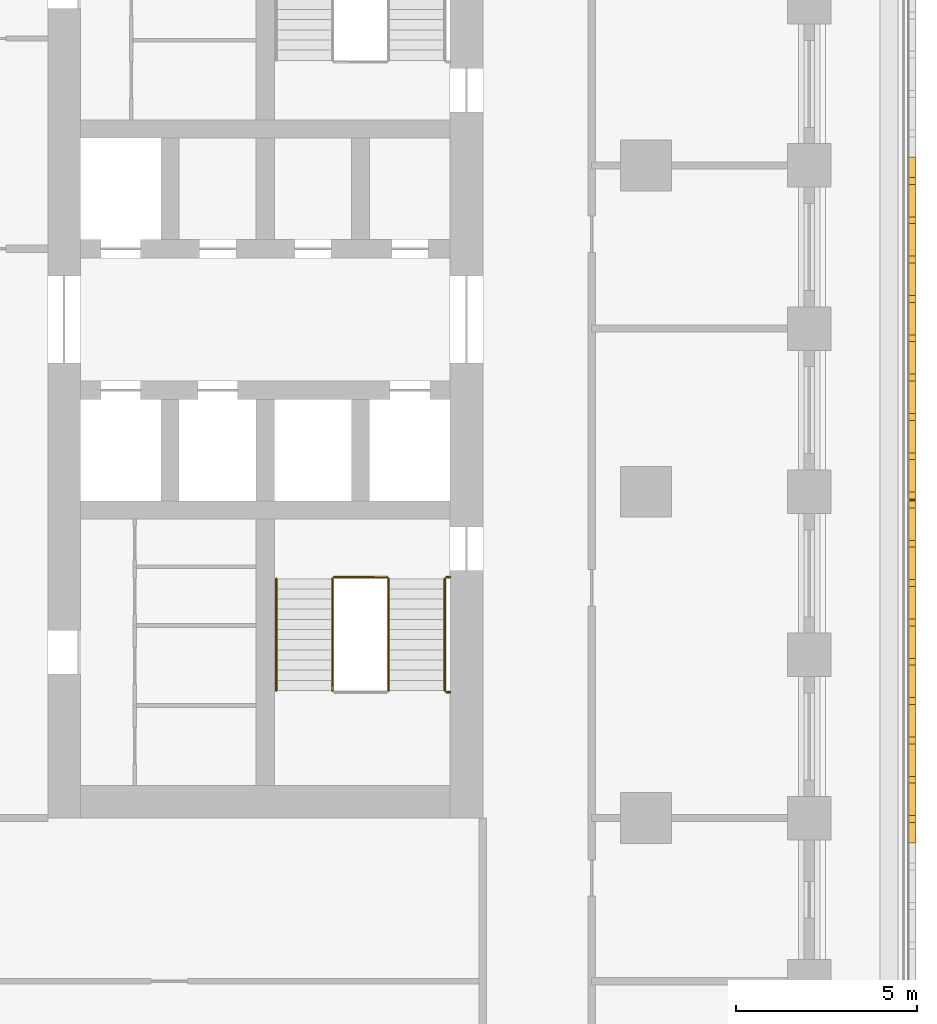
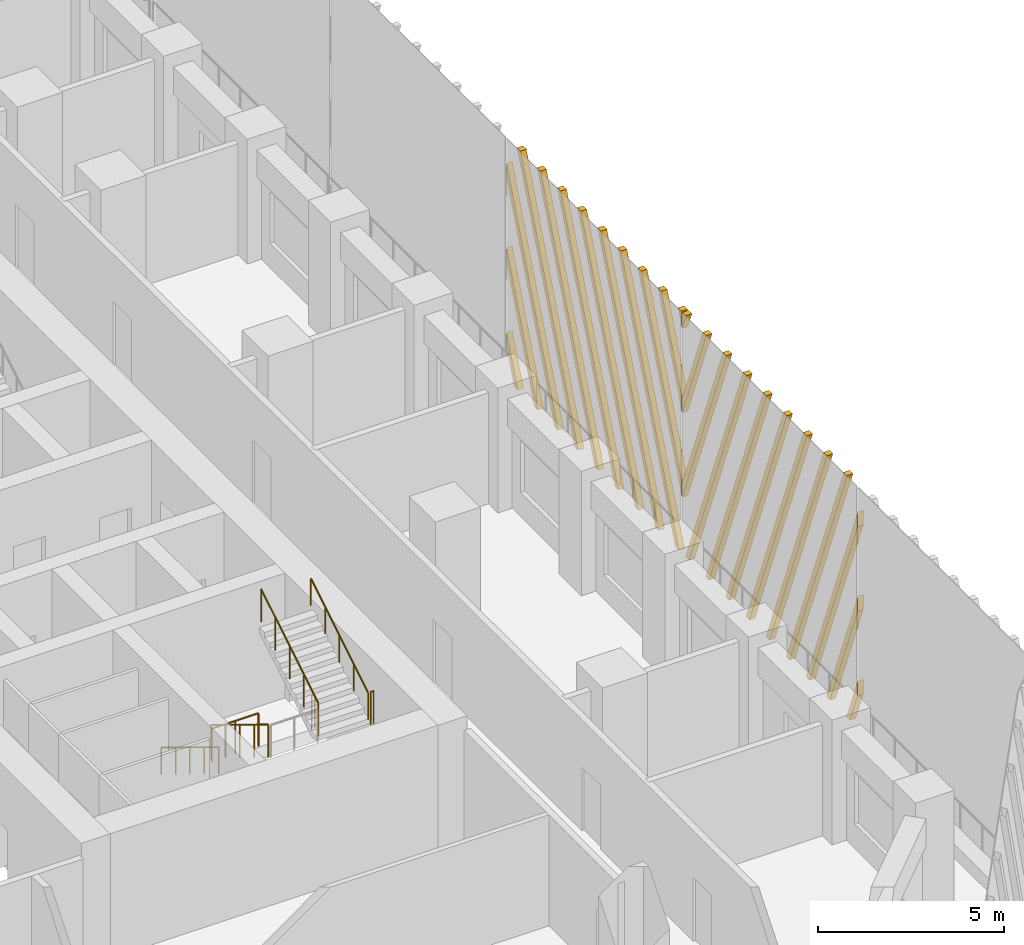
# One storey, part 13 of 19: 7 railings, 2 shading devices.
"""IFC4 building model written with IfcOpenShell, lengths in metres."""

from ifc_helpers import new_model, si_unit, direction, frame, origin, origin_2d, place, context, subcontext, project, spatial, polyline, circle, outline, extrude, source, transform, mapped, material, type_object, element, save


model = new_model("IFC4")

# Units and contexts
model_context = context("Model", 3, precision=1e-05, world=origin(), true_north=direction((0.0, 1.0)))
body_context = subcontext(model_context, "Body", "Model", "MODEL_VIEW")
ifc_project = project(units=[si_unit("LENGTHUNIT", "METRE"), si_unit("AREAUNIT", "SQUARE_METRE"), si_unit("VOLUMEUNIT", "CUBIC_METRE"), si_unit("PLANEANGLEUNIT", "RADIAN"), si_unit("MASSUNIT", "GRAM", prefix="KILO")], contexts=[model_context])

# Site, building, storey
site_placement = place(None, origin())
site = spatial("IfcSite", under=ifc_project, at=site_placement, CompositionType="ELEMENT")
building_placement = place(site_placement, origin())
building = spatial("IfcBuilding", under=site, at=building_placement, Name="Corbel Stack Research Tower", CompositionType="ELEMENT")
storey_placement = place(building_placement, frame((0.0, 0.0, 124.89990234375)))
storey = spatial("IfcBuildingStorey", under=building, at=storey_placement, Name="L28", CompositionType="ELEMENT", Elevation=124.89990234375)

# Railings
ifc_material_1 = material(Name="Steel S355", Category="steel")
railing_type_1 = type_object("IfcRailingType", Name="Stair guard 1100", PredefinedType="GUARDRAIL", material=ifc_material_1)
railing_1_placement = place(storey_placement, frame((13.85009765625, -2.39990234375, 0.1708984375)))
element("IfcRailing", 1, at=railing_1_placement, inside=storey, type_object=railing_type_1, Name="L28 ST-E1 stair guard 1", PredefinedType="GUARDRAIL", context=body_context, shape_type="SweptSolid", body=[
    extrude(circle(Radius=0.02392578125, at=origin_2d()), frame((0.0, 0.0, 1.076171875), z_axis=(0.0, -0.853666305674, 0.52082035152), x_axis=(1.0, 0.0, 0.0)), (0.0, 0.0, 1.0), 3.608154296875),
    extrude(circle(Radius=0.02099609375, at=origin_2d()), origin(), (0.0, 0.0, 1.0), 1.052001953125),
    extrude(circle(Radius=0.02099609375, at=origin_2d()), frame((0.0, -0.77001953125, 0.4697265625)), (0.0, 0.0, 1.0), 1.052001953125),
    extrude(circle(Radius=0.02099609375, at=origin_2d()), frame((0.0, -1.5400390625, 0.939453125)), (0.0, 0.0, 1.0), 1.052001953125),
    extrude(circle(Radius=0.02099609375, at=origin_2d()), frame((0.0, -2.31005859375, 1.409423828125)), (0.0, 0.0, 1.0), 1.052001953125),
    extrude(circle(Radius=0.02099609375, at=origin_2d()), frame((0.0, -3.080078125, 1.879150390625)), (0.0, 0.0, 1.0), 1.052001953125),
])
railing_2_placement = place(storey_placement, frame((17.0, -5.530029296875, 2.050048828125)))
element("IfcRailing", 2, at=railing_2_placement, inside=storey, type_object=railing_type_1, Name="L28 ST-E1 stair guard 3", PredefinedType="GUARDRAIL", context=body_context, shape_type="SweptSolid", body=[
    extrude(circle(Radius=0.02392578125, at=origin_2d()), frame((0.0, 0.0, 1.076171875), z_axis=(1.0, 0.0, 0.0), x_axis=(0.0, 1.0, 0.0)), (0.0, 0.0, 1.0), 0.10009765625),
    extrude(circle(Radius=0.02099609375, at=origin_2d()), origin(), (0.0, 0.0, 1.0), 1.052001953125),
    extrude(circle(Radius=0.02099609375, at=origin_2d()), frame((0.10009765625, 0.0, 0.0)), (0.0, 0.0, 1.0), 1.052001953125),
])
railing_3_placement = place(storey_placement, frame((15.39990234375, -5.47998046875, 2.220947265625)))
element("IfcRailing", 3, at=railing_3_placement, inside=storey, type_object=railing_type_1, Name="L28 ST-E1 stair guard 4", PredefinedType="GUARDRAIL", context=body_context, shape_type="SweptSolid", body=[
    extrude(circle(Radius=0.02392578125, at=origin_2d()), frame((0.0, 0.0, 1.076171875), z_axis=(0.0, 0.853666305674, 0.52082035152), x_axis=(-1.0, 0.0, 0.0)), (0.0, 0.0, 1.0), 3.608154296875),
    extrude(circle(Radius=0.02099609375, at=origin_2d()), origin(), (0.0, 0.0, 1.0), 1.052001953125),
    extrude(circle(Radius=0.02099609375, at=origin_2d()), frame((0.0, 0.77001953125, 0.4697265625)), (0.0, 0.0, 1.0), 1.052001953125),
    extrude(circle(Radius=0.02099609375, at=origin_2d()), frame((0.0, 1.5400390625, 0.939453125)), (0.0, 0.0, 1.0), 1.052001953125),
    extrude(circle(Radius=0.02099609375, at=origin_2d()), frame((0.0, 2.31005859375, 1.409423828125)), (0.0, 0.0, 1.0), 1.052001953125),
    extrude(circle(Radius=0.02099609375, at=origin_2d()), frame((0.0, 3.080078125, 1.879150390625)), (0.0, 0.0, 1.0), 1.052001953125),
])
railing_4_placement = place(storey_placement, frame((13.89990234375, -2.35009765625, 0.0)))
element("IfcRailing", 4, at=railing_4_placement, inside=storey, type_object=railing_type_1, Name="L28 ST-E1 stair guard 5", PredefinedType="GUARDRAIL", context=body_context, shape_type="SweptSolid", body=[
    extrude(circle(Radius=0.02392578125, at=origin_2d()), frame((0.0, 0.0, 1.076171875), z_axis=(1.0, 0.0, 0.0), x_axis=(0.0, 1.0, 0.0)), (0.0, 0.0, 1.0), 1.4501953125),
    extrude(circle(Radius=0.02099609375, at=origin_2d()), origin(), (0.0, 0.0, 1.0), 1.052001953125),
    extrude(circle(Radius=0.02099609375, at=origin_2d()), frame((0.72509765625, 0.0, 0.0)), (0.0, 0.0, 1.0), 1.052001953125),
    extrude(circle(Radius=0.02099609375, at=origin_2d()), frame((1.4501953125, 0.0, 0.0)), (0.0, 0.0, 1.0), 1.052001953125),
])
railing_5_placement = place(storey_placement, frame((17.0, -2.35009765625, 0.0)))
element("IfcRailing", 5, at=railing_5_placement, inside=storey, type_object=railing_type_1, Name="L28 ST-E1 stair guard 6", PredefinedType="GUARDRAIL", context=body_context, shape_type="SweptSolid", body=[
    extrude(circle(Radius=0.02392578125, at=origin_2d()), frame((0.0, 0.0, 1.076171875), z_axis=(1.0, 0.0, 0.0), x_axis=(0.0, 1.0, 0.0)), (0.0, 0.0, 1.0), 0.10009765625),
    extrude(circle(Radius=0.02099609375, at=origin_2d()), origin(), (0.0, 0.0, 1.0), 1.052001953125),
    extrude(circle(Radius=0.02099609375, at=origin_2d()), frame((0.10009765625, 0.0, 0.0)), (0.0, 0.0, 1.0), 1.052001953125),
])
ifc_material_2 = material(Name="Steel S355", Category="steel")
railing_type_2 = type_object("IfcRailingType", Name="Stair handrail 900", PredefinedType="HANDRAIL", material=ifc_material_2)
railing_6_placement = place(storey_placement, frame((12.300048828125, -2.39990234375, 0.1708984375)))
element("IfcRailing", 6, at=railing_6_placement, inside=storey, type_object=railing_type_2, Name="L28 ST-E1 stair handrail 1", PredefinedType="HANDRAIL", context=body_context, shape_type="SweptSolid", body=[
    extrude(circle(Radius=0.02392578125, at=origin_2d()), frame((0.0, 0.0, 0.8759765625), z_axis=(0.0, -0.853666305674, 0.52082035152), x_axis=(1.0, 0.0, 0.0)), (0.0, 0.0, 1.0), 3.608154296875),
    extrude(circle(Radius=0.02099609375, at=origin_2d()), origin(), (0.0, 0.0, 1.0), 0.851806640625),
    extrude(circle(Radius=0.02099609375, at=origin_2d()), frame((0.0, -0.77001953125, 0.4697265625)), (0.0, 0.0, 1.0), 0.851806640625),
    extrude(circle(Radius=0.02099609375, at=origin_2d()), frame((0.0, -1.5400390625, 0.939453125)), (0.0, 0.0, 1.0), 0.851806640625),
    extrude(circle(Radius=0.02099609375, at=origin_2d()), frame((0.0, -2.31005859375, 1.409423828125)), (0.0, 0.0, 1.0), 0.851806640625),
    extrude(circle(Radius=0.02099609375, at=origin_2d()), frame((0.0, -3.080078125, 1.879150390625)), (0.0, 0.0, 1.0), 0.851806640625),
])
railing_7_placement = place(storey_placement, frame((16.949951171875, -5.47998046875, 2.220947265625)))
element("IfcRailing", 7, at=railing_7_placement, inside=storey, type_object=railing_type_2, Name="L28 ST-E1 stair handrail 2", PredefinedType="HANDRAIL", context=body_context, shape_type="SweptSolid", body=[
    extrude(circle(Radius=0.02392578125, at=origin_2d()), frame((0.0, 0.0, 0.8759765625), z_axis=(0.0, 0.853666305674, 0.52082035152), x_axis=(-1.0, 0.0, 0.0)), (0.0, 0.0, 1.0), 3.608154296875),
    extrude(circle(Radius=0.02099609375, at=origin_2d()), origin(), (0.0, 0.0, 1.0), 0.851806640625),
    extrude(circle(Radius=0.02099609375, at=origin_2d()), frame((0.0, 0.77001953125, 0.4697265625)), (0.0, 0.0, 1.0), 0.851806640625),
    extrude(circle(Radius=0.02099609375, at=origin_2d()), frame((0.0, 1.5400390625, 0.939453125)), (0.0, 0.0, 1.0), 0.851806640625),
    extrude(circle(Radius=0.02099609375, at=origin_2d()), frame((0.0, 2.31005859375, 1.409423828125)), (0.0, 0.0, 1.0), 0.851806640625),
    extrude(circle(Radius=0.02099609375, at=origin_2d()), frame((0.0, 3.080078125, 1.879150390625)), (0.0, 0.0, 1.0), 0.851806640625),
])

# Shading devices
ifc_material_3 = material(Name="Precast terracotta", Category="masonry")
shading_device_type = type_object("IfcShadingDeviceType", Name="Terracotta screen panel", PredefinedType="USERDEFINED", material=ifc_material_3)
shared_shape_1 = source(origin(), body_context, "Body", "SweptSolid", [
    extrude(outline(polyline([(0.217041015625, 7.949951171875), (0.027099609375, 7.949951171875), (0.0, 7.880859375), (0.0, 7.394287109375), (0.217041015625, 7.949951171875)])), frame((0.0, 0.0, 0.0), z_axis=(0.0, -1.0, 0.0), x_axis=(1.0, 0.0, 0.0)), (0.0, 0.0, 1.0), 0.179931640625),
    extrude(outline(polyline([(1.3017578125, 7.949951171875), (1.11181640625, 7.949951171875), (0.0, 5.103515625), (0.0, 4.616943359375), (1.3017578125, 7.949951171875)])), frame((0.0, 0.0, 0.0), z_axis=(0.0, -1.0, 0.0), x_axis=(1.0, 0.0, 0.0)), (0.0, 0.0, 1.0), 0.179931640625),
    extrude(outline(polyline([(2.386474609375, 7.949951171875), (2.1962890625, 7.949951171875), (0.0, 2.326171875), (0.0, 1.839599609375), (2.386474609375, 7.949951171875)])), frame((0.0, 0.0, 0.0), z_axis=(0.0, -1.0, 0.0), x_axis=(1.0, 0.0, 0.0)), (0.0, 0.0, 1.0), 0.179931640625),
    extrude(outline(polyline([(0.3662109375, 0.0), (3.470947265625, 7.949951171875), (3.281005859375, 7.949951171875), (0.17626953125, 0.0), (0.3662109375, 0.0)])), frame((0.0, 0.0, 0.0), z_axis=(0.0, -1.0, 0.0), x_axis=(1.0, 0.0, 0.0)), (0.0, 0.0, 1.0), 0.179931640625),
    extrude(outline(polyline([(1.45068359375, 0.0), (4.5556640625, 7.949951171875), (4.36572265625, 7.949951171875), (1.2607421875, 0.0), (1.45068359375, 0.0)])), frame((0.0, 0.0, 0.0), z_axis=(0.0, -1.0, 0.0), x_axis=(1.0, 0.0, 0.0)), (0.0, 0.0, 1.0), 0.179931640625),
    extrude(outline(polyline([(2.535400390625, 0.0), (5.640380859375, 7.949951171875), (5.4501953125, 7.949951171875), (2.345458984375, 0.0), (2.535400390625, 0.0)])), frame((0.0, 0.0, 0.0), z_axis=(0.0, -1.0, 0.0), x_axis=(1.0, 0.0, 0.0)), (0.0, 0.0, 1.0), 0.179931640625),
    extrude(outline(polyline([(3.6201171875, 0.0), (6.72509765625, 7.949951171875), (6.534912109375, 7.949951171875), (3.43017578125, 0.0), (3.6201171875, 0.0)])), frame((0.0, 0.0, 0.0), z_axis=(0.0, -1.0, 0.0), x_axis=(1.0, 0.0, 0.0)), (0.0, 0.0, 1.0), 0.179931640625),
    extrude(outline(polyline([(4.704833984375, 0.0), (7.809814453125, 7.949951171875), (7.61962890625, 7.949951171875), (4.514892578125, 0.0), (4.704833984375, 0.0)])), frame((0.0, 0.0, 0.0), z_axis=(0.0, -1.0, 0.0), x_axis=(1.0, 0.0, 0.0)), (0.0, 0.0, 1.0), 0.179931640625),
    extrude(outline(polyline([(5.78955078125, 0.0), (8.894287109375, 7.949951171875), (8.704345703125, 7.949951171875), (5.599609375, 0.0), (5.78955078125, 0.0)])), frame((0.0, 0.0, 0.0), z_axis=(0.0, -1.0, 0.0), x_axis=(1.0, 0.0, 0.0)), (0.0, 0.0, 1.0), 0.179931640625),
    extrude(outline(polyline([(6.874267578125, 0.0), (9.45556640625, 6.60986328125), (9.45556640625, 7.096435546875), (6.68408203125, 0.0), (6.874267578125, 0.0)])), frame((0.0, 0.0, 0.0), z_axis=(0.0, -1.0, 0.0), x_axis=(1.0, 0.0, 0.0)), (0.0, 0.0, 1.0), 0.179931640625),
    extrude(outline(polyline([(7.958740234375, 0.0), (9.45556640625, 3.83251953125), (9.45556640625, 4.319091796875), (7.768798828125, 0.0), (7.958740234375, 0.0)])), frame((0.0, 0.0, 0.0), z_axis=(0.0, -1.0, 0.0), x_axis=(1.0, 0.0, 0.0)), (0.0, 0.0, 1.0), 0.179931640625),
    extrude(outline(polyline([(9.04345703125, 0.0), (9.45556640625, 1.055419921875), (9.45556640625, 1.541748046875), (8.853515625, 0.0), (9.04345703125, 0.0)])), frame((0.0, 0.0, 0.0), z_axis=(0.0, -1.0, 0.0), x_axis=(1.0, 0.0, 0.0)), (0.0, 0.0, 1.0), 0.179931640625),
])
shading_device_1_placement = place(storey_placement, frame((29.75, -0.227783203125, 0.0), z_axis=(0.0, 0.0, 1.0), x_axis=(0.0, 1.0, 0.0)))
element("IfcShadingDevice", 8, at=shading_device_1_placement, inside=storey, type_object=shading_device_type, Name="Terracotta screen L28 E3", ObjectType="SCREEN", PredefinedType="USERDEFINED", context=body_context, shape_type="MappedRepresentation", body=[
    mapped(shared_shape_1, transform((0.0, 0.0, 0.0))),
])
shared_shape_2 = source(origin(), body_context, "Body", "SweptSolid", [
    extrude(outline(polyline([(0.60205078125, 0.0), (0.0, 1.541748046875), (0.0, 1.055419921875), (0.412109375, 0.0), (0.60205078125, 0.0)])), frame((0.0, 0.0, 0.0), z_axis=(0.0, -1.0, 0.0), x_axis=(1.0, 0.0, 0.0)), (0.0, 0.0, 1.0), 0.179931640625),
    extrude(outline(polyline([(1.686767578125, 0.0), (0.0, 4.319091796875), (0.0, 3.83251953125), (1.496826171875, 0.0), (1.686767578125, 0.0)])), frame((0.0, 0.0, 0.0), z_axis=(0.0, -1.0, 0.0), x_axis=(1.0, 0.0, 0.0)), (0.0, 0.0, 1.0), 0.179931640625),
    extrude(outline(polyline([(2.771484375, 0.0), (0.0, 7.096435546875), (0.0, 6.60986328125), (2.58154296875, 0.0), (2.771484375, 0.0)])), frame((0.0, 0.0, 0.0), z_axis=(0.0, -1.0, 0.0), x_axis=(1.0, 0.0, 0.0)), (0.0, 0.0, 1.0), 0.179931640625),
    extrude(outline(polyline([(3.856201171875, 0.0), (0.751220703125, 7.949951171875), (0.561279296875, 7.949951171875), (3.666015625, 0.0), (3.856201171875, 0.0)])), frame((0.0, 0.0, 0.0), z_axis=(0.0, -1.0, 0.0), x_axis=(1.0, 0.0, 0.0)), (0.0, 0.0, 1.0), 0.179931640625),
    extrude(outline(polyline([(4.94091796875, 0.0), (1.8359375, 7.949951171875), (1.64599609375, 7.949951171875), (4.750732421875, 0.0), (4.94091796875, 0.0)])), frame((0.0, 0.0, 0.0), z_axis=(0.0, -1.0, 0.0), x_axis=(1.0, 0.0, 0.0)), (0.0, 0.0, 1.0), 0.179931640625),
    extrude(outline(polyline([(6.025390625, 0.0), (2.920654296875, 7.949951171875), (2.730712890625, 7.949951171875), (5.83544921875, 0.0), (6.025390625, 0.0)])), frame((0.0, 0.0, 0.0), z_axis=(0.0, -1.0, 0.0), x_axis=(1.0, 0.0, 0.0)), (0.0, 0.0, 1.0), 0.179931640625),
    extrude(outline(polyline([(7.110107421875, 0.0), (4.00537109375, 7.949951171875), (3.815185546875, 7.949951171875), (6.920166015625, 0.0), (7.110107421875, 0.0)])), frame((0.0, 0.0, 0.0), z_axis=(0.0, -1.0, 0.0), x_axis=(1.0, 0.0, 0.0)), (0.0, 0.0, 1.0), 0.179931640625),
    extrude(outline(polyline([(8.19482421875, 0.0), (5.090087890625, 7.949951171875), (4.89990234375, 7.949951171875), (8.0048828125, 0.0), (8.19482421875, 0.0)])), frame((0.0, 0.0, 0.0), z_axis=(0.0, -1.0, 0.0), x_axis=(1.0, 0.0, 0.0)), (0.0, 0.0, 1.0), 0.179931640625),
    extrude(outline(polyline([(9.279541015625, 0.0), (6.174560546875, 7.949951171875), (5.984619140625, 7.949951171875), (9.089599609375, 0.0), (9.279541015625, 0.0)])), frame((0.0, 0.0, 0.0), z_axis=(0.0, -1.0, 0.0), x_axis=(1.0, 0.0, 0.0)), (0.0, 0.0, 1.0), 0.179931640625),
    extrude(outline(polyline([(7.25927734375, 7.949951171875), (7.0693359375, 7.949951171875), (9.45556640625, 1.839599609375), (9.45556640625, 2.326171875), (7.25927734375, 7.949951171875)])), frame((0.0, 0.0, 0.0), z_axis=(0.0, -1.0, 0.0), x_axis=(1.0, 0.0, 0.0)), (0.0, 0.0, 1.0), 0.179931640625),
    extrude(outline(polyline([(8.343994140625, 7.949951171875), (8.15380859375, 7.949951171875), (9.45556640625, 4.616943359375), (9.45556640625, 5.103515625), (8.343994140625, 7.949951171875)])), frame((0.0, 0.0, 0.0), z_axis=(0.0, -1.0, 0.0), x_axis=(1.0, 0.0, 0.0)), (0.0, 0.0, 1.0), 0.179931640625),
    extrude(outline(polyline([(9.4287109375, 7.949951171875), (9.238525390625, 7.949951171875), (9.45556640625, 7.394287109375), (9.45556640625, 7.880859375), (9.4287109375, 7.949951171875)])), frame((0.0, 0.0, 0.0), z_axis=(0.0, -1.0, 0.0), x_axis=(1.0, 0.0, 0.0)), (0.0, 0.0, 1.0), 0.179931640625),
])
shading_device_2_placement = place(storey_placement, frame((29.75, -9.68359375, 0.0), z_axis=(0.0, 0.0, 1.0), x_axis=(0.0, 1.0, 0.0)))
element("IfcShadingDevice", 9, at=shading_device_2_placement, inside=storey, type_object=shading_device_type, Name="Terracotta screen L28 E2", ObjectType="SCREEN", PredefinedType="USERDEFINED", context=body_context, shape_type="MappedRepresentation", body=[
    mapped(shared_shape_2, transform((0.0, 0.0, 0.0))),
])

save(model, "model.ifc")
